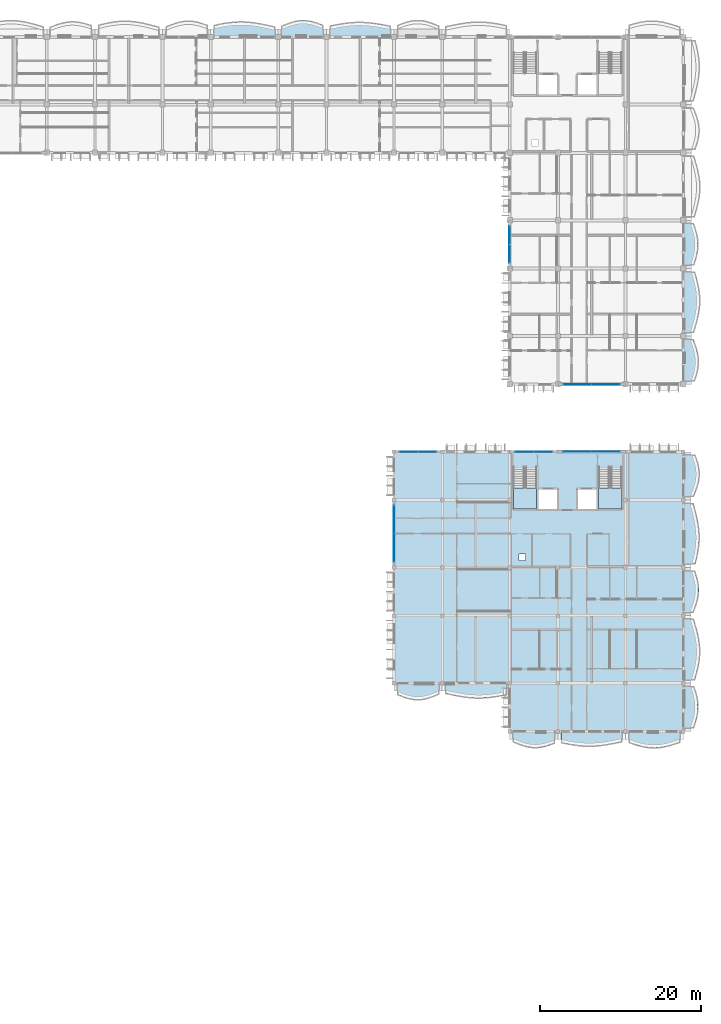
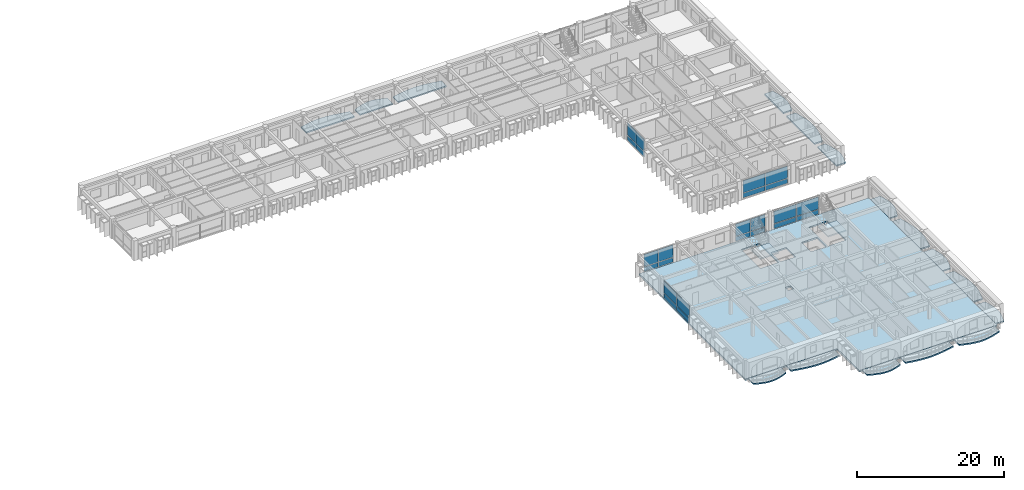
# One storey, part 21 of 76: 24 plates, 19 slabs, 8 elements without a shape of their own.
"""IFC4 building model written with IfcOpenShell, lengths in metres."""

from ifc_helpers import new_model, si_unit, direction, frame, origin, origin_2d, place, context, subcontext, project, spatial, polyline, rectangle, outline, extrude, material, layer, layer_set, type_object, element, aggregate, save


model = new_model("IFC4")

# Units and contexts
model_context = context("Model", 3, precision=1e-05, world=origin(), true_north=direction((0.0, 1.0)))
body_context = subcontext(model_context, "Body", "Model", "MODEL_VIEW")
ifc_project = project(units=[si_unit("LENGTHUNIT", "METRE"), si_unit("AREAUNIT", "SQUARE_METRE"), si_unit("VOLUMEUNIT", "CUBIC_METRE"), si_unit("PLANEANGLEUNIT", "RADIAN"), si_unit("MASSUNIT", "GRAM", prefix="KILO"), si_unit("THERMODYNAMICTEMPERATUREUNIT", "KELVIN")], contexts=[model_context])

# Site, building, storey
site_placement = place(None, origin())
site = spatial("IfcSite", under=ifc_project, at=site_placement, CompositionType="ELEMENT")
building_placement = place(site_placement, origin())
building = spatial("IfcBuilding", under=site, at=building_placement, Name="Thalorik Housing Commons", CompositionType="ELEMENT")
storey_placement = place(building_placement, frame((0.0, 0.0, 18.0)))
storey = spatial("IfcBuildingStorey", under=building, at=storey_placement, Name="L05", CompositionType="ELEMENT", Elevation=18.0)

# Curtain wall, plates
ifc_material_1 = material(Name="Anodised aluminium and solar-control low-E glass", Category="aluminium")
curtain_wall_type_1 = type_object("IfcCurtainWallType", Name="ARC-CW-LOUNGE", PredefinedType="USERDEFINED", material=ifc_material_1)
curtain_wall_1_placement = place(storey_placement, origin())
curtain_wall_1 = element("IfcCurtainWall", 1, at=curtain_wall_1_placement, inside=storey, type_object=curtain_wall_type_1, Name="L05 Curtain Wall CW-RES-L05-B-096", ObjectType="CURTAIN WALL", PredefinedType="USERDEFINED")
ifc_material_2 = material(Name="Double solar-control low-E glass", Category="glass")
ifc_layer_1 = layer(ifc_material_2, 0.028076171875, Name="Double solar-control low-E glass", Category="glass")
ifc_layer_set_1 = layer_set([ifc_layer_1], Name="Double solar-control low-E glass")
plate_type_1 = type_object("IfcPlateType", Name="ARC-CP-GLZ-28", PredefinedType="CURTAIN_PANEL", material=ifc_layer_set_1)
plate_1_placement = place(storey_placement, frame((152.39990234375, 98.949951171875, 0.919921875), z_axis=(0.0, 0.0, 1.0), x_axis=(0.0, -1.0, 0.0)))
plate_1 = element("IfcPlate", 2, at=plate_1_placement, type_object=plate_type_1, Name="CW-RES-L05-B-096 Vision Panel 1", PredefinedType="CURTAIN_PANEL", context=body_context, shape_type="SweptSolid", body=[
    extrude(rectangle(XDim=2.239990234375, YDim=0.028076171875, at=origin_2d()), origin(), (0.0, 0.0, 1.0), 2.0400390625),
])
plate_2_placement = place(storey_placement, frame((152.39990234375, 96.64990234375, 0.919921875), z_axis=(0.0, 0.0, 1.0), x_axis=(0.0, -1.0, 0.0)))
plate_2 = element("IfcPlate", 3, at=plate_2_placement, type_object=plate_type_1, Name="CW-RES-L05-B-096 Vision Panel 2", PredefinedType="CURTAIN_PANEL", context=body_context, shape_type="SweptSolid", body=[
    extrude(rectangle(XDim=2.239990234375, YDim=0.028076171875, at=origin_2d()), origin(), (0.0, 0.0, 1.0), 2.0400390625),
])

curtain_wall_2_placement = place(storey_placement, origin())
curtain_wall_2 = element("IfcCurtainWall", 4, at=curtain_wall_2_placement, inside=storey, type_object=curtain_wall_type_1, Name="L05 Curtain Wall CW-RES-L05-B-097", ObjectType="CURTAIN WALL", PredefinedType="USERDEFINED")
plate_3_placement = place(storey_placement, frame((160.85009765625, 80.39990234375, 0.919921875), z_axis=(0.0, 0.0, 1.0), x_axis=(1.0, 0.0, 0.0)))
plate_3 = element("IfcPlate", 5, at=plate_3_placement, type_object=plate_type_1, Name="CW-RES-L05-B-097 Vision Panel 1", PredefinedType="CURTAIN_PANEL", context=body_context, shape_type="SweptSolid", body=[
    extrude(rectangle(XDim=3.43994140625, YDim=0.028076171875, at=origin_2d()), origin(), (0.0, 0.0, 1.0), 2.0400390625),
])
plate_4_placement = place(storey_placement, frame((164.35009765625, 80.39990234375, 0.919921875), z_axis=(0.0, 0.0, 1.0), x_axis=(1.0, 0.0, 0.0)))
plate_4 = element("IfcPlate", 6, at=plate_4_placement, type_object=plate_type_1, Name="CW-RES-L05-B-097 Vision Panel 2", PredefinedType="CURTAIN_PANEL", context=body_context, shape_type="SweptSolid", body=[
    extrude(rectangle(XDim=3.43994140625, YDim=0.028076171875, at=origin_2d()), origin(), (0.0, 0.0, 1.0), 2.0400390625),
])

curtain_wall_3_placement = place(storey_placement, origin())
curtain_wall_3 = element("IfcCurtainWall", 7, at=curtain_wall_3_placement, inside=storey, type_object=curtain_wall_type_1, Name="L05 Curtain Wall CW-RES-L05-D-191", ObjectType="CURTAIN WALL", PredefinedType="USERDEFINED")
plate_5_placement = place(storey_placement, frame((142.14990234375, 72.0, 0.919921875), z_axis=(0.0, 0.0, 1.0), x_axis=(-1.0, 0.0, 0.0)))
plate_5 = element("IfcPlate", 8, at=plate_5_placement, type_object=plate_type_1, Name="CW-RES-L05-D-191 Vision Panel 1", PredefinedType="CURTAIN_PANEL", context=body_context, shape_type="SweptSolid", body=[
    extrude(rectangle(XDim=2.239990234375, YDim=0.028076171875, at=origin_2d()), origin(), (0.0, 0.0, 1.0), 2.0400390625),
])
plate_6_placement = place(storey_placement, frame((139.85009765625, 72.0, 0.919921875), z_axis=(0.0, 0.0, 1.0), x_axis=(-1.0, 0.0, 0.0)))
plate_6 = element("IfcPlate", 9, at=plate_6_placement, type_object=plate_type_1, Name="CW-RES-L05-D-191 Vision Panel 2", PredefinedType="CURTAIN_PANEL", context=body_context, shape_type="SweptSolid", body=[
    extrude(rectangle(XDim=2.239990234375, YDim=0.028076171875, at=origin_2d()), origin(), (0.0, 0.0, 1.0), 2.0400390625),
])

curtain_wall_4_placement = place(storey_placement, origin())
curtain_wall_4 = element("IfcCurtainWall", 10, at=curtain_wall_4_placement, inside=storey, type_object=curtain_wall_type_1, Name="L05 Curtain Wall CW-RES-L05-D-192", ObjectType="CURTAIN WALL", PredefinedType="USERDEFINED")
plate_7_placement = place(storey_placement, frame((138.0, 63.550048828125, 0.919921875), z_axis=(0.0, 0.0, 1.0), x_axis=(0.0, -1.0, 0.0)))
plate_7 = element("IfcPlate", 11, at=plate_7_placement, type_object=plate_type_1, Name="CW-RES-L05-D-192 Vision Panel 1", PredefinedType="CURTAIN_PANEL", context=body_context, shape_type="SweptSolid", body=[
    extrude(rectangle(XDim=3.43994140625, YDim=0.028076171875, at=origin_2d()), origin(), (0.0, 0.0, 1.0), 2.0400390625),
])
plate_8_placement = place(storey_placement, frame((138.0, 60.050048828125, 0.919921875), z_axis=(0.0, 0.0, 1.0), x_axis=(0.0, -1.0, 0.0)))
plate_8 = element("IfcPlate", 12, at=plate_8_placement, type_object=plate_type_1, Name="CW-RES-L05-D-192 Vision Panel 2", PredefinedType="CURTAIN_PANEL", context=body_context, shape_type="SweptSolid", body=[
    extrude(rectangle(XDim=3.43994140625, YDim=0.028076171875, at=origin_2d()), origin(), (0.0, 0.0, 1.0), 2.0400390625),
])

curtain_wall_type_2 = type_object("IfcCurtainWallType", Name="ARC-CW-CORE", PredefinedType="USERDEFINED", material=ifc_material_1)
curtain_wall_5_placement = place(storey_placement, origin())
curtain_wall_5 = element("IfcCurtainWall", 13, at=curtain_wall_5_placement, inside=storey, type_object=curtain_wall_type_2, Name="L05 Curtain Wall CW-CORE-L05-D-196", ObjectType="CURTAIN WALL", PredefinedType="USERDEFINED")
plate_9_placement = place(storey_placement, frame((164.375, 72.0, 0.919921875), z_axis=(0.0, 0.0, 1.0), x_axis=(-1.0, 0.0, 0.0)))
plate_9 = element("IfcPlate", 14, at=plate_9_placement, type_object=plate_type_1, Name="CW-CORE-L05-D-196 Vision Panel 1", PredefinedType="CURTAIN_PANEL", context=body_context, shape_type="SweptSolid", body=[
    extrude(rectangle(XDim=3.489990234375, YDim=0.028076171875, at=origin_2d()), origin(), (0.0, 0.0, 1.0), 2.0400390625),
])
plate_10_placement = place(storey_placement, frame((160.824951171875, 72.0, 0.919921875), z_axis=(0.0, 0.0, 1.0), x_axis=(-1.0, 0.0, 0.0)))
plate_10 = element("IfcPlate", 15, at=plate_10_placement, type_object=plate_type_1, Name="CW-CORE-L05-D-196 Vision Panel 2", PredefinedType="CURTAIN_PANEL", context=body_context, shape_type="SweptSolid", body=[
    extrude(rectangle(XDim=3.489990234375, YDim=0.028076171875, at=origin_2d()), origin(), (0.0, 0.0, 1.0), 2.0400390625),
])

curtain_wall_6_placement = place(storey_placement, origin())
curtain_wall_6 = element("IfcCurtainWall", 16, at=curtain_wall_6_placement, inside=storey, type_object=curtain_wall_type_2, Name="L05 Curtain Wall CW-CORE-L05-D-197", ObjectType="CURTAIN WALL", PredefinedType="USERDEFINED")
plate_11_placement = place(storey_placement, frame((156.574951171875, 72.0, 0.919921875), z_axis=(0.0, 0.0, 1.0), x_axis=(-1.0, 0.0, 0.0)))
plate_11 = element("IfcPlate", 17, at=plate_11_placement, type_object=plate_type_1, Name="CW-CORE-L05-D-197 Vision Panel 1", PredefinedType="CURTAIN_PANEL", context=body_context, shape_type="SweptSolid", body=[
    extrude(rectangle(XDim=2.2900390625, YDim=0.028076171875, at=origin_2d()), origin(), (0.0, 0.0, 1.0), 2.0400390625),
])
plate_12_placement = place(storey_placement, frame((154.22509765625, 72.0, 0.919921875), z_axis=(0.0, 0.0, 1.0), x_axis=(-1.0, 0.0, 0.0)))
plate_12 = element("IfcPlate", 18, at=plate_12_placement, type_object=plate_type_1, Name="CW-CORE-L05-D-197 Vision Panel 2", PredefinedType="CURTAIN_PANEL", context=body_context, shape_type="SweptSolid", body=[
    extrude(rectangle(XDim=2.2900390625, YDim=0.028076171875, at=origin_2d()), origin(), (0.0, 0.0, 1.0), 2.0400390625),
])

# Plate
ifc_material_3 = material(Name="Oxide red enamelled aluminium spandrel panel", Category="aluminium")
ifc_layer_2 = layer(ifc_material_3, 0.0419921875, Name="Oxide red enamelled aluminium spandrel panel", Category="aluminium")
ifc_layer_set_2 = layer_set([ifc_layer_2], Name="Oxide red enamelled aluminium spandrel panel")
plate_type_2 = type_object("IfcPlateType", Name="ARC-CP-RED-42", PredefinedType="CURTAIN_PANEL", material=ifc_layer_set_2)
plate_13_placement = place(storey_placement, frame((160.85009765625, 80.39990234375, 0.080078125), z_axis=(0.0, 0.0, 1.0), x_axis=(1.0, 0.0, 0.0)))
plate_13 = element("IfcPlate", 19, at=plate_13_placement, type_object=plate_type_2, Name="CW-RES-L05-B-097 Spandrel Panel 1", PredefinedType="CURTAIN_PANEL", context=body_context, shape_type="SweptSolid", body=[
    extrude(rectangle(XDim=3.43994140625, YDim=0.0419921875, at=origin_2d()), origin(), (0.0, 0.0, 1.0), 0.760009765625),
])

plate_14_placement = place(storey_placement, frame((164.35009765625, 80.39990234375, 0.080078125), z_axis=(0.0, 0.0, 1.0), x_axis=(1.0, 0.0, 0.0)))
plate_14 = element("IfcPlate", 20, at=plate_14_placement, type_object=plate_type_2, Name="CW-RES-L05-B-097 Spandrel Panel 2", PredefinedType="CURTAIN_PANEL", context=body_context, shape_type="SweptSolid", body=[
    extrude(rectangle(XDim=3.43994140625, YDim=0.0419921875, at=origin_2d()), origin(), (0.0, 0.0, 1.0), 0.760009765625),
])

aggregate(curtain_wall_2, [plate_13, plate_3, plate_14, plate_4])

plate_15_placement = place(storey_placement, frame((142.14990234375, 72.0, 0.080078125), z_axis=(0.0, 0.0, 1.0), x_axis=(-1.0, 0.0, 0.0)))
plate_15 = element("IfcPlate", 21, at=plate_15_placement, type_object=plate_type_2, Name="CW-RES-L05-D-191 Spandrel Panel 1", PredefinedType="CURTAIN_PANEL", context=body_context, shape_type="SweptSolid", body=[
    extrude(rectangle(XDim=2.239990234375, YDim=0.0419921875, at=origin_2d()), origin(), (0.0, 0.0, 1.0), 0.760009765625),
])

plate_16_placement = place(storey_placement, frame((139.85009765625, 72.0, 0.080078125), z_axis=(0.0, 0.0, 1.0), x_axis=(-1.0, 0.0, 0.0)))
plate_16 = element("IfcPlate", 22, at=plate_16_placement, type_object=plate_type_2, Name="CW-RES-L05-D-191 Spandrel Panel 2", PredefinedType="CURTAIN_PANEL", context=body_context, shape_type="SweptSolid", body=[
    extrude(rectangle(XDim=2.239990234375, YDim=0.0419921875, at=origin_2d()), origin(), (0.0, 0.0, 1.0), 0.760009765625),
])

aggregate(curtain_wall_3, [plate_15, plate_5, plate_16, plate_6])

plate_17_placement = place(storey_placement, frame((156.574951171875, 72.0, 0.080078125), z_axis=(0.0, 0.0, 1.0), x_axis=(-1.0, 0.0, 0.0)))
plate_17 = element("IfcPlate", 23, at=plate_17_placement, type_object=plate_type_2, Name="CW-CORE-L05-D-197 Spandrel Panel 1", PredefinedType="CURTAIN_PANEL", context=body_context, shape_type="SweptSolid", body=[
    extrude(rectangle(XDim=2.2900390625, YDim=0.0419921875, at=origin_2d()), origin(), (0.0, 0.0, 1.0), 0.760009765625),
])

plate_18_placement = place(storey_placement, frame((154.22509765625, 72.0, 0.080078125), z_axis=(0.0, 0.0, 1.0), x_axis=(-1.0, 0.0, 0.0)))
plate_18 = element("IfcPlate", 24, at=plate_18_placement, type_object=plate_type_2, Name="CW-CORE-L05-D-197 Spandrel Panel 2", PredefinedType="CURTAIN_PANEL", context=body_context, shape_type="SweptSolid", body=[
    extrude(rectangle(XDim=2.2900390625, YDim=0.0419921875, at=origin_2d()), origin(), (0.0, 0.0, 1.0), 0.760009765625),
])

aggregate(curtain_wall_6, [plate_17, plate_11, plate_18, plate_12])

ifc_material_4 = material(Name="Mineral ochre yellow aluminium spandrel panel", Category="aluminium")
ifc_layer_3 = layer(ifc_material_4, 0.050048828125, Name="Mineral ochre yellow aluminium spandrel panel", Category="aluminium")
ifc_layer_set_3 = layer_set([ifc_layer_3], Name="Mineral ochre yellow aluminium spandrel panel")
plate_type_3 = type_object("IfcPlateType", Name="ARC-CP-YEL-50", PredefinedType="CURTAIN_PANEL", material=ifc_layer_set_3)
plate_19_placement = place(storey_placement, frame((152.39990234375, 98.949951171875, 0.080078125), z_axis=(0.0, 0.0, 1.0), x_axis=(0.0, -1.0, 0.0)))
plate_19 = element("IfcPlate", 25, at=plate_19_placement, type_object=plate_type_3, Name="CW-RES-L05-B-096 Spandrel Panel 1", PredefinedType="CURTAIN_PANEL", context=body_context, shape_type="SweptSolid", body=[
    extrude(rectangle(XDim=2.239990234375, YDim=0.050048828125, at=origin_2d()), origin(), (0.0, 0.0, 1.0), 0.760009765625),
])

plate_20_placement = place(storey_placement, frame((152.39990234375, 96.64990234375, 0.080078125), z_axis=(0.0, 0.0, 1.0), x_axis=(0.0, -1.0, 0.0)))
plate_20 = element("IfcPlate", 26, at=plate_20_placement, type_object=plate_type_3, Name="CW-RES-L05-B-096 Spandrel Panel 2", PredefinedType="CURTAIN_PANEL", context=body_context, shape_type="SweptSolid", body=[
    extrude(rectangle(XDim=2.239990234375, YDim=0.050048828125, at=origin_2d()), origin(), (0.0, 0.0, 1.0), 0.760009765625),
])

aggregate(curtain_wall_1, [plate_19, plate_1, plate_20, plate_2])

plate_21_placement = place(storey_placement, frame((138.0, 63.550048828125, 0.080078125), z_axis=(0.0, 0.0, 1.0), x_axis=(0.0, -1.0, 0.0)))
plate_21 = element("IfcPlate", 27, at=plate_21_placement, type_object=plate_type_3, Name="CW-RES-L05-D-192 Spandrel Panel 1", PredefinedType="CURTAIN_PANEL", context=body_context, shape_type="SweptSolid", body=[
    extrude(rectangle(XDim=3.43994140625, YDim=0.050048828125, at=origin_2d()), origin(), (0.0, 0.0, 1.0), 0.760009765625),
])

plate_22_placement = place(storey_placement, frame((138.0, 60.050048828125, 0.080078125), z_axis=(0.0, 0.0, 1.0), x_axis=(0.0, -1.0, 0.0)))
plate_22 = element("IfcPlate", 28, at=plate_22_placement, type_object=plate_type_3, Name="CW-RES-L05-D-192 Spandrel Panel 2", PredefinedType="CURTAIN_PANEL", context=body_context, shape_type="SweptSolid", body=[
    extrude(rectangle(XDim=3.43994140625, YDim=0.050048828125, at=origin_2d()), origin(), (0.0, 0.0, 1.0), 0.760009765625),
])

aggregate(curtain_wall_4, [plate_21, plate_7, plate_22, plate_8])

plate_23_placement = place(storey_placement, frame((164.375, 72.0, 0.080078125), z_axis=(0.0, 0.0, 1.0), x_axis=(-1.0, 0.0, 0.0)))
plate_23 = element("IfcPlate", 29, at=plate_23_placement, type_object=plate_type_3, Name="CW-CORE-L05-D-196 Spandrel Panel 1", PredefinedType="CURTAIN_PANEL", context=body_context, shape_type="SweptSolid", body=[
    extrude(rectangle(XDim=3.489990234375, YDim=0.050048828125, at=origin_2d()), origin(), (0.0, 0.0, 1.0), 0.760009765625),
])

plate_24_placement = place(storey_placement, frame((160.824951171875, 72.0, 0.080078125), z_axis=(0.0, 0.0, 1.0), x_axis=(-1.0, 0.0, 0.0)))
plate_24 = element("IfcPlate", 30, at=plate_24_placement, type_object=plate_type_3, Name="CW-CORE-L05-D-196 Spandrel Panel 2", PredefinedType="CURTAIN_PANEL", context=body_context, shape_type="SweptSolid", body=[
    extrude(rectangle(XDim=3.489990234375, YDim=0.050048828125, at=origin_2d()), origin(), (0.0, 0.0, 1.0), 0.760009765625),
])

aggregate(curtain_wall_5, [plate_23, plate_9, plate_24, plate_10])

# Stair, slab
ifc_material_5 = material(Name="Precast concrete C40/50", Category="concrete")
stair_type = type_object("IfcStairType", Name="ARC-STR-1350-R20", PredefinedType="HALF_TURN_STAIR", material=ifc_material_5)
stair_1_placement = place(storey_placement, origin())
stair_1 = element("IfcStair", 31, at=stair_1_placement, inside=storey, type_object=stair_type, Name="L05 Block D Smoke-Proof Stair 1", PredefinedType="HALF_TURN_STAIR")
ifc_layer_4 = layer(ifc_material_5, 0.199951171875, Name="Precast concrete C40/50", Category="concrete")
ifc_layer_set_4 = layer_set([ifc_layer_4], Name="Precast concrete C40/50")
slab_type_1 = type_object("IfcSlabType", Name="ARC-SLB-STLND-200", PredefinedType="LANDING", material=ifc_layer_set_4)
slab_1_placement = place(storey_placement, frame((0.0, 0.0, 1.449951171875)))
slab_1 = element("IfcSlab", 32, at=slab_1_placement, type_object=slab_type_1, Name="ST-D1 landing 1", PredefinedType="LANDING", context=body_context, shape_type="SweptSolid", body=[
    extrude(outline(polyline([(152.85009765625, 67.489990234375), (152.85009765625, 64.85009765625), (155.75, 64.85009765625), (155.75, 67.489990234375), (152.85009765625, 67.489990234375)])), origin(), (0.0, 0.0, 1.0), 0.199951171875),
])
aggregate(stair_1, [slab_1])

stair_2_placement = place(storey_placement, origin())
stair_2 = element("IfcStair", 33, at=stair_2_placement, inside=storey, type_object=stair_type, Name="L05 Block D Smoke-Proof Stair 2", PredefinedType="HALF_TURN_STAIR")
slab_2_placement = place(storey_placement, frame((0.0, 0.0, 1.449951171875)))
slab_2 = element("IfcSlab", 34, at=slab_2_placement, type_object=slab_type_1, Name="ST-D2 landing 1", PredefinedType="LANDING", context=body_context, shape_type="SweptSolid", body=[
    extrude(outline(polyline([(163.449951171875, 67.489990234375), (163.449951171875, 64.85009765625), (166.35009765625, 64.85009765625), (166.35009765625, 67.489990234375), (163.449951171875, 67.489990234375)])), origin(), (0.0, 0.0, 1.0), 0.199951171875),
])
aggregate(stair_2, [slab_2])

# Slabs
ifc_layer_5 = layer(ifc_material_5, 0.199951171875, Name="Precast concrete C40/50", Category="concrete")
ifc_layer_set_5 = layer_set([ifc_layer_5], Name="Precast concrete C40/50")
slab_type_2 = type_object("IfcSlabType", Name="STR-SLB-BALC-200", PredefinedType="FLOOR", material=ifc_layer_set_5)
slab_3_placement = place(storey_placement, frame((0.0, 0.0, -0.199951171875)))
element("IfcSlab", 35, at=slab_3_placement, inside=storey, type_object=slab_type_2, Name="L05 Block B Cushion Balcony 158", PredefinedType="FLOOR", context=body_context, shape_type="SweptSolid", body=[
    extrude(outline(polyline([(124.02001953125, 123.60009765625), (129.179931640625, 123.60009765625), (129.179931640625, 125.067138671875), (128.75, 125.236328125), (128.320068359375, 125.39111328125), (127.889892578125, 125.520751953125), (127.4599609375, 125.61669921875), (127.030029296875, 125.672607421875), (126.60009765625, 125.68408203125), (126.169921875, 125.650390625), (125.739990234375, 125.572998046875), (125.31005859375, 125.457275390625), (124.8798828125, 125.309814453125), (124.449951171875, 125.140380859375), (124.02001953125, 124.959716796875), (124.02001953125, 123.60009765625)])), origin(), (0.0, 0.0, 1.0), 0.199951171875),
])
slab_4_placement = place(storey_placement, frame((0.0, 0.0, -0.199951171875)))
element("IfcSlab", 36, at=slab_4_placement, inside=storey, type_object=slab_type_2, Name="L05 Block B Cushion Balcony 165", PredefinedType="FLOOR", context=body_context, shape_type="SweptSolid", body=[
    extrude(outline(polyline([(175.423095703125, 80.820068359375), (175.560791015625, 81.25), (175.686279296875, 81.679931640625), (175.791015625, 82.110107421875), (175.8662109375, 82.5400390625), (175.906494140625, 82.969970703125), (175.90869140625, 83.39990234375), (175.871337890625, 83.830078125), (175.797119140625, 84.260009765625), (175.690185546875, 84.68994140625), (175.5576171875, 85.1201171875), (175.408447265625, 85.550048828125), (175.252685546875, 85.97998046875), (174.0, 85.97998046875), (174.0, 80.820068359375), (175.423095703125, 80.820068359375)])), origin(), (0.0, 0.0, 1.0), 0.199951171875),
])
slab_5_placement = place(storey_placement, frame((0.0, 0.0, -0.199951171875)))
element("IfcSlab", 37, at=slab_5_placement, inside=storey, type_object=slab_type_2, Name="L05 Block B Cushion Balcony 167", PredefinedType="FLOOR", context=body_context, shape_type="SweptSolid", body=[
    extrude(outline(polyline([(175.332275390625, 95.219970703125), (175.47021484375, 95.64990234375), (175.599365234375, 96.080078125), (175.710205078125, 96.510009765625), (175.794921875, 96.93994140625), (175.84716796875, 97.3701171875), (175.863037109375, 97.800048828125), (175.84130859375, 98.22998046875), (175.783447265625, 98.659912109375), (175.693603515625, 99.090087890625), (175.578125, 99.52001953125), (175.445068359375, 99.949951171875), (175.30419921875, 100.3798828125), (174.0, 100.3798828125), (174.0, 95.219970703125), (175.332275390625, 95.219970703125)])), origin(), (0.0, 0.0, 1.0), 0.199951171875),
])
slab_6_placement = place(storey_placement, frame((0.0, 0.0, -0.199951171875)))
element("IfcSlab", 38, at=slab_6_placement, inside=storey, type_object=slab_type_2, Name="L05 Block D Cushion Balcony 359", PredefinedType="FLOOR", context=body_context, shape_type="SweptSolid", body=[
    extrude(outline(polyline([(175.291748046875, 37.6201171875), (175.4345703125, 38.050048828125), (175.56982421875, 38.47998046875), (175.68798828125, 38.909912109375), (175.78076171875, 39.340087890625), (175.841552734375, 39.77001953125), (175.8662109375, 40.199951171875), (175.85302734375, 40.6298828125), (175.80322265625, 41.06005859375), (175.720947265625, 41.489990234375), (175.61181640625, 41.919921875), (175.484375, 42.35009765625), (175.347412109375, 42.780029296875), (174.0, 42.780029296875), (174.0, 37.6201171875), (175.291748046875, 37.6201171875)])), origin(), (0.0, 0.0, 1.0), 0.199951171875),
])
slab_7_placement = place(storey_placement, frame((0.0, 0.0, -0.199951171875)))
element("IfcSlab", 39, at=slab_7_placement, inside=storey, type_object=slab_type_2, Name="L05 Block D Cushion Balcony 361", PredefinedType="FLOOR", context=body_context, shape_type="SweptSolid", body=[
    extrude(outline(polyline([(175.25048828125, 52.02001953125), (175.4091796875, 52.449951171875), (175.561279296875, 52.8798828125), (175.6962890625, 53.31005859375), (175.805908203125, 53.739990234375), (175.882568359375, 54.169921875), (175.92138671875, 54.60009765625), (175.9208984375, 55.030029296875), (175.88134765625, 55.4599609375), (175.806396484375, 55.889892578125), (175.701904296875, 56.320068359375), (175.5751953125, 56.75), (175.436279296875, 57.179931640625), (174.0, 57.179931640625), (174.0, 52.02001953125), (175.25048828125, 52.02001953125)])), origin(), (0.0, 0.0, 1.0), 0.199951171875),
])
slab_8_placement = place(storey_placement, frame((0.0, 0.0, -0.199951171875)))
element("IfcSlab", 40, at=slab_8_placement, inside=storey, type_object=slab_type_2, Name="L05 Block D Cushion Balcony 363", PredefinedType="FLOOR", context=body_context, shape_type="SweptSolid", body=[
    extrude(outline(polyline([(175.278564453125, 66.419921875), (175.452880859375, 66.85009765625), (175.619140625, 67.280029296875), (175.7666015625, 67.7099609375), (175.885498046875, 68.139892578125), (175.968994140625, 68.570068359375), (176.01171875, 69.0), (176.01171875, 69.429931640625), (175.9697265625, 69.860107421875), (175.88916015625, 70.2900390625), (175.77587890625, 70.719970703125), (175.63818359375, 71.14990234375), (175.486083984375, 71.580078125), (174.0, 71.580078125), (174.0, 66.419921875), (175.278564453125, 66.419921875)])), origin(), (0.0, 0.0, 1.0), 0.199951171875),
])
slab_9_placement = place(storey_placement, frame((0.0, 0.0, -0.199951171875)))
element("IfcSlab", 41, at=slab_9_placement, inside=storey, type_object=slab_type_2, Name="L05 Block D Cushion Balcony 364", PredefinedType="FLOOR", context=body_context, shape_type="SweptSolid", body=[
    extrude(outline(polyline([(152.820068359375, 35.885009765625), (153.25, 35.705810546875), (153.679931640625, 35.536376953125), (154.110107421875, 35.387451171875), (154.5400390625, 35.268310546875), (154.969970703125, 35.186279296875), (155.39990234375, 35.146484375), (155.830078125, 35.151123046875), (156.260009765625, 35.198974609375), (156.68994140625, 35.28662109375), (157.1201171875, 35.40771484375), (157.550048828125, 35.5537109375), (157.97998046875, 35.714599609375), (157.97998046875, 37.199951171875), (152.820068359375, 37.199951171875), (152.820068359375, 35.885009765625)])), origin(), (0.0, 0.0, 1.0), 0.199951171875),
])
slab_10_placement = place(storey_placement, frame((0.0, 0.0, -0.199951171875)))
element("IfcSlab", 42, at=slab_10_placement, inside=storey, type_object=slab_type_2, Name="L05 Block D Cushion Balcony 367", PredefinedType="FLOOR", context=body_context, shape_type="SweptSolid", body=[
    extrude(outline(polyline([(138.419921875, 41.753662109375), (138.85009765625, 41.579833984375), (139.280029296875, 41.419921875), (139.7099609375, 41.28466796875), (140.139892578125, 41.182861328125), (140.570068359375, 41.12109375), (141.0, 41.10400390625), (141.429931640625, 41.1328125), (141.860107421875, 41.205322265625), (142.2900390625, 41.3173828125), (142.719970703125, 41.4619140625), (143.14990234375, 41.62939453125), (143.580078125, 41.809326171875), (143.580078125, 43.199951171875), (138.419921875, 43.199951171875), (138.419921875, 41.753662109375)])), origin(), (0.0, 0.0, 1.0), 0.199951171875),
])
ifc_layer_6 = layer(ifc_material_5, 0.219970703125, Name="Precast concrete C40/50", Category="concrete")
ifc_layer_set_6 = layer_set([ifc_layer_6], Name="Precast concrete C40/50")
slab_type_3 = type_object("IfcSlabType", Name="STR-SLB-BALC-220", PredefinedType="FLOOR", material=ifc_layer_set_6)
slab_11_placement = place(storey_placement, frame((0.0, 0.0, -0.219970703125)))
element("IfcSlab", 43, at=slab_11_placement, inside=storey, type_object=slab_type_3, Name="L05 Block B Cushion Balcony 157", PredefinedType="FLOOR", context=body_context, shape_type="SweptSolid", body=[
    extrude(outline(polyline([(115.6201171875, 123.60009765625), (123.179931640625, 123.60009765625), (123.179931640625, 124.880615234375), (122.550048828125, 125.020751953125), (121.919921875, 125.157958984375), (121.2900390625, 125.283203125), (120.659912109375, 125.387939453125), (120.030029296875, 125.46484375), (119.39990234375, 125.508544921875), (118.77001953125, 125.51611328125), (118.139892578125, 125.486572265625), (117.510009765625, 125.421875), (116.8798828125, 125.326171875), (116.25, 125.205810546875), (115.6201171875, 125.06884765625), (115.6201171875, 123.60009765625)])), origin(), (0.0, 0.0, 1.0), 0.219970703125),
])
slab_12_placement = place(storey_placement, frame((0.0, 0.0, -0.219970703125)))
element("IfcSlab", 44, at=slab_12_placement, inside=storey, type_object=slab_type_3, Name="L05 Block B Cushion Balcony 159", PredefinedType="FLOOR", context=body_context, shape_type="SweptSolid", body=[
    extrude(outline(polyline([(130.02001953125, 123.60009765625), (137.580078125, 123.60009765625), (137.580078125, 124.962890625), (136.949951171875, 125.089111328125), (136.320068359375, 125.20751953125), (135.68994140625, 125.310302734375), (135.06005859375, 125.390380859375), (134.429931640625, 125.4423828125), (133.800048828125, 125.462890625), (133.169921875, 125.45068359375), (132.5400390625, 125.406494140625), (131.909912109375, 125.3330078125), (131.280029296875, 125.2353515625), (130.64990234375, 125.11962890625), (130.02001953125, 124.99365234375), (130.02001953125, 123.60009765625)])), origin(), (0.0, 0.0, 1.0), 0.219970703125),
])
slab_13_placement = place(storey_placement, frame((0.0, 0.0, -0.219970703125)))
element("IfcSlab", 45, at=slab_13_placement, inside=storey, type_object=slab_type_3, Name="L05 Block B Cushion Balcony 166", PredefinedType="FLOOR", context=body_context, shape_type="SweptSolid", body=[
    extrude(outline(polyline([(175.301513671875, 86.820068359375), (175.489013671875, 87.449951171875), (175.668701171875, 88.080078125), (175.827880859375, 88.7099609375), (175.955810546875, 89.340087890625), (176.043212890625, 89.969970703125), (176.083984375, 90.60009765625), (176.075439453125, 91.22998046875), (176.01806640625, 91.860107421875), (175.915283203125, 92.489990234375), (175.77490234375, 93.1201171875), (175.60595703125, 93.75), (175.420166015625, 94.3798828125), (174.0, 94.3798828125), (174.0, 86.820068359375), (175.301513671875, 86.820068359375)])), origin(), (0.0, 0.0, 1.0), 0.219970703125),
])
slab_14_placement = place(storey_placement, frame((0.0, 0.0, -0.219970703125)))
element("IfcSlab", 46, at=slab_14_placement, inside=storey, type_object=slab_type_3, Name="L05 Block D Cushion Balcony 360", PredefinedType="FLOOR", context=body_context, shape_type="SweptSolid", body=[
    extrude(outline(polyline([(175.433837890625, 43.6201171875), (175.616943359375, 44.25), (175.782470703125, 44.8798828125), (175.9189453125, 45.510009765625), (176.017333984375, 46.139892578125), (176.07080078125, 46.77001953125), (176.075439453125, 47.39990234375), (176.03125, 48.030029296875), (175.941650390625, 48.659912109375), (175.8125, 49.2900390625), (175.6533203125, 49.919921875), (175.474853515625, 50.550048828125), (175.289306640625, 51.179931640625), (174.0, 51.179931640625), (174.0, 43.6201171875), (175.433837890625, 43.6201171875)])), origin(), (0.0, 0.0, 1.0), 0.219970703125),
])
slab_15_placement = place(storey_placement, frame((0.0, 0.0, -0.219970703125)))
element("IfcSlab", 47, at=slab_15_placement, inside=storey, type_object=slab_type_3, Name="L05 Block D Cushion Balcony 362", PredefinedType="FLOOR", context=body_context, shape_type="SweptSolid", body=[
    extrude(outline(polyline([(175.4853515625, 58.02001953125), (175.64599609375, 58.64990234375), (175.787109375, 59.280029296875), (175.89892578125, 59.909912109375), (175.973876953125, 60.5400390625), (176.007080078125, 61.169921875), (175.99658203125, 61.800048828125), (175.943115234375, 62.429931640625), (175.8505859375, 63.06005859375), (175.7255859375, 63.68994140625), (175.576904296875, 64.320068359375), (175.414794921875, 64.949951171875), (175.250244140625, 65.580078125), (174.0, 65.580078125), (174.0, 58.02001953125), (175.4853515625, 58.02001953125)])), origin(), (0.0, 0.0, 1.0), 0.219970703125),
])
slab_16_placement = place(storey_placement, frame((0.0, 0.0, -0.219970703125)))
element("IfcSlab", 48, at=slab_16_placement, inside=storey, type_object=slab_type_3, Name="L05 Block D Cushion Balcony 365", PredefinedType="FLOOR", context=body_context, shape_type="SweptSolid", body=[
    extrude(outline(polyline([(158.820068359375, 35.763671875), (159.449951171875, 35.634521484375), (160.080078125, 35.518798828125), (160.7099609375, 35.424560546875), (161.340087890625, 35.35791015625), (161.969970703125, 35.322998046875), (162.60009765625, 35.322021484375), (163.22998046875, 35.355224609375), (163.860107421875, 35.419921875), (164.489990234375, 35.511962890625), (165.1201171875, 35.624755859375), (165.75, 35.751220703125), (166.3798828125, 35.882080078125), (166.3798828125, 37.199951171875), (158.820068359375, 37.199951171875), (158.820068359375, 35.763671875)])), origin(), (0.0, 0.0, 1.0), 0.219970703125),
])
slab_17_placement = place(storey_placement, frame((0.0, 0.0, -0.219970703125)))
element("IfcSlab", 49, at=slab_17_placement, inside=storey, type_object=slab_type_3, Name="L05 Block D Cushion Balcony 366", PredefinedType="FLOOR", context=body_context, shape_type="SweptSolid", body=[
    extrude(outline(polyline([(167.219970703125, 35.794189453125), (167.75, 35.61083984375), (168.280029296875, 35.441650390625), (168.81005859375, 35.297607421875), (169.340087890625, 35.1884765625), (169.8701171875, 35.12158203125), (170.39990234375, 35.10107421875), (170.929931640625, 35.128662109375), (171.4599609375, 35.202392578125), (171.989990234375, 35.3173828125), (172.52001953125, 35.46630859375), (173.050048828125, 35.639404296875), (173.580078125, 35.82470703125), (173.580078125, 37.199951171875), (167.219970703125, 37.199951171875), (167.219970703125, 35.794189453125)])), origin(), (0.0, 0.0, 1.0), 0.219970703125),
])
slab_18_placement = place(storey_placement, frame((0.0, 0.0, -0.219970703125)))
element("IfcSlab", 50, at=slab_18_placement, inside=storey, type_object=slab_type_3, Name="L05 Block D Cushion Balcony 368", PredefinedType="FLOOR", context=body_context, shape_type="SweptSolid", body=[
    extrude(outline(polyline([(144.419921875, 41.895751953125), (145.050048828125, 41.76220703125), (145.679931640625, 41.63232421875), (146.31005859375, 41.515380859375), (146.93994140625, 41.419189453125), (147.570068359375, 41.350341796875), (148.199951171875, 41.3134765625), (148.830078125, 41.31103515625), (149.4599609375, 41.343505859375), (150.090087890625, 41.4091796875), (150.719970703125, 41.50341796875), (151.35009765625, 41.6201171875), (151.97998046875, 41.75146484375), (151.97998046875, 43.199951171875), (144.419921875, 43.199951171875), (144.419921875, 41.895751953125)])), origin(), (0.0, 0.0, 1.0), 0.219970703125),
])
ifc_material_6 = material(Name="Precast concrete C45/55", Category="concrete")
ifc_layer_7 = layer(ifc_material_6, 0.260009765625, Name="Precast concrete C45/55", Category="concrete")
ifc_layer_set_7 = layer_set([ifc_layer_7], Name="Precast concrete C45/55")
slab_type_4 = type_object("IfcSlabType", Name="STR-SLB-HC-260", PredefinedType="FLOOR", material=ifc_layer_set_7)
slab_19_placement = place(storey_placement, frame((0.0, 0.0, -0.260009765625)))
element("IfcSlab", 51, at=slab_19_placement, inside=storey, type_object=slab_type_4, Name="L05 Residential Block D Floor Slab", PredefinedType="FLOOR", context=body_context, shape_type="SweptSolid", body=[
    extrude(outline(polyline([(152.39990234375, 43.199951171875), (152.39990234375, 37.199951171875), (174.0, 37.199951171875), (174.0, 72.0), (152.39990234375, 72.0), (138.0, 72.0), (138.0, 43.199951171875), (152.39990234375, 43.199951171875)]), holes=[polyline([(152.85009765625, 70.050048828125), (155.75, 70.050048828125), (155.75, 64.85009765625), (152.85009765625, 64.85009765625), (152.85009765625, 70.050048828125)]), polyline([(166.35009765625, 70.050048828125), (166.35009765625, 64.85009765625), (163.449951171875, 64.85009765625), (163.449951171875, 70.050048828125), (166.35009765625, 70.050048828125)]), polyline([(158.39990234375, 67.39990234375), (158.39990234375, 64.85009765625), (156.0, 64.85009765625), (156.0, 67.39990234375), (158.39990234375, 67.39990234375)]), polyline([(163.199951171875, 64.85009765625), (160.800048828125, 64.85009765625), (160.800048828125, 67.39990234375), (163.199951171875, 67.39990234375), (163.199951171875, 64.85009765625)]), polyline([(153.550048828125, 58.449951171875), (153.550048828125, 59.25), (154.35009765625, 59.25), (154.35009765625, 58.449951171875), (153.550048828125, 58.449951171875)])]), origin(), (0.0, 0.0, 1.0), 0.260009765625),
])

save(model, "model.ifc")
